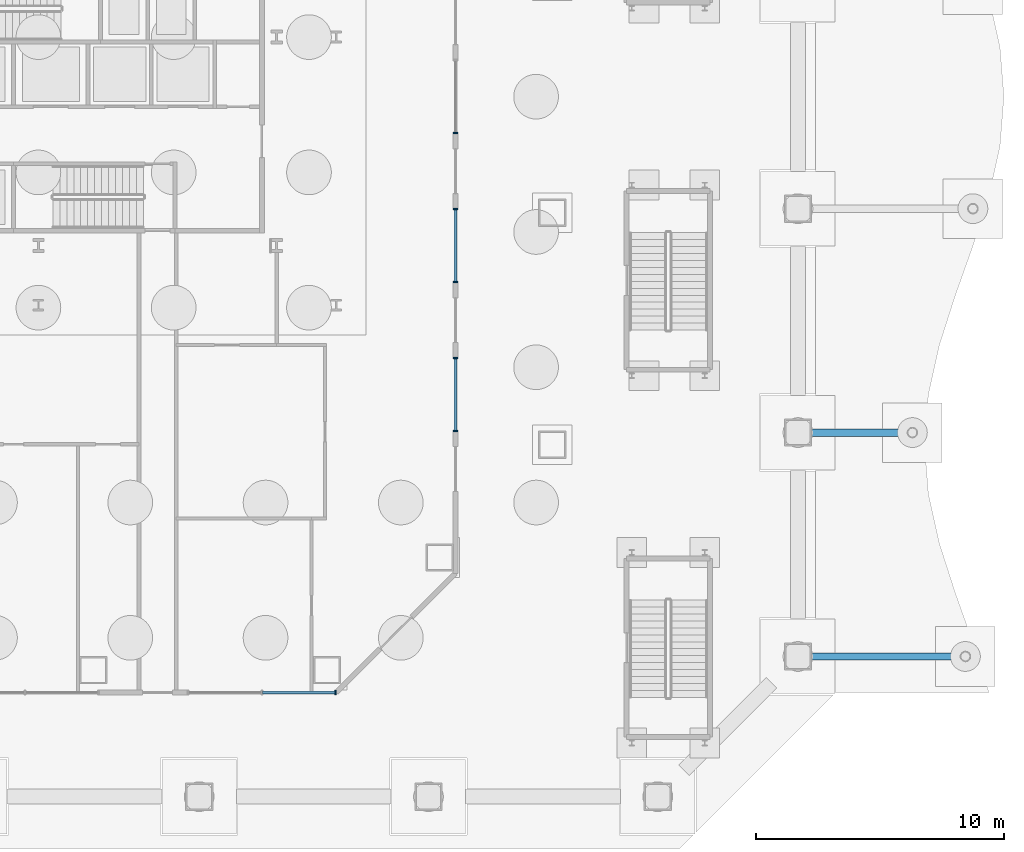
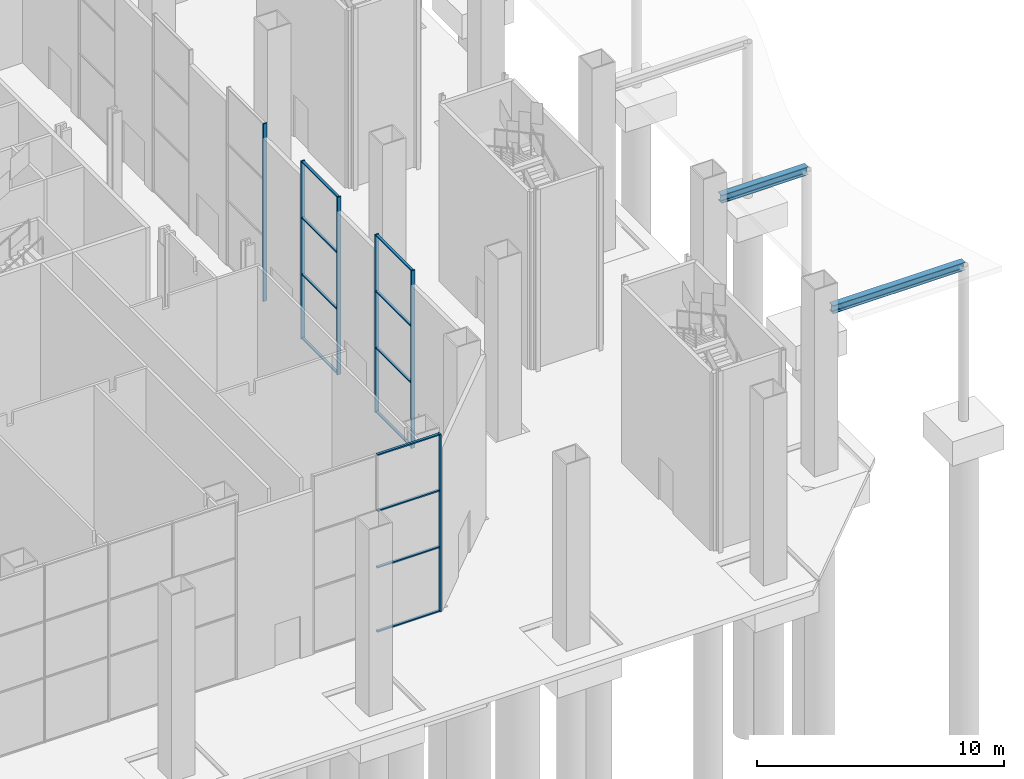
# One storey, part 17 of 38: 18 members, 2 beams, 4 elements without a shape of their own.
"""IFC4 building model written with IfcOpenShell, lengths in metres."""

import ifcopenshell
import ifcopenshell.guid

model = None  # the IFC model being written
_history = None  # IfcOwnerHistory: only IFC2X3 demands one
_inside = {}  # id of a spatial element -> (the spatial element, [elements in it])
_under = {}  # id of a project, library or spatial element -> (it, [spatial elements below it])
_declared = {}  # id of a project -> (the project, [libraries it declares])
_typed = {}  # id of a type object -> (the type object, [elements of that type])
_made_of = {}  # id of a material, layer set ... -> (it, [elements and type objects made of it])


def new_model(schema):
    """Start an empty IFC model of exactly this schema.

    Asked for "IFC4X3", IfcOpenShell would pick the latest addendum, in which some entities
    have other attributes; the version numbers below select the first issue.
    IFC2X3 requires an IfcOwnerHistory on every rooted entity: one is made here for all.
    """
    global model, _history
    if schema == "IFC4X3":
        model = ifcopenshell.file(schema_version=(4, 3, 0, 0))
    else:
        model = ifcopenshell.file(schema=schema)
    _inside.clear()
    _under.clear()
    _declared.clear()
    _typed.clear()
    _made_of.clear()
    _history = None
    if model.schema == "IFC2X3":
        org = make("IfcOrganization", Name="unknown")
        user = make(
            "IfcPersonAndOrganization",
            ThePerson=make("IfcPerson", FamilyName="unknown"),
            TheOrganization=org,
        )
        app = make(
            "IfcApplication",
            ApplicationDeveloper=org,
            Version="unknown",
            ApplicationFullName="unknown",
            ApplicationIdentifier="unknown",
        )
        _history = make(
            "IfcOwnerHistory",
            OwningUser=user,
            OwningApplication=app,
            ChangeAction="ADDED",
            CreationDate=0,
        )
    return model


def make(cls, **values):
    """One entity of the class cls with the attributes given. An attribute that is None is left unset."""
    return model.create_entity(
        cls, **{name: value for name, value in values.items() if value is not None}
    )


def rooted(cls, **values):
    """An entity with a GlobalId (a new one), such as an element, a storey or a relation."""
    return make(cls, GlobalId=ifcopenshell.guid.new(), OwnerHistory=_history, **values)


def si_unit(unit_type, name, prefix=None):
    """IfcSIUnit, for example si_unit("LENGTHUNIT", "METRE", prefix="MILLI")."""
    return make("IfcSIUnit", UnitType=unit_type, Prefix=prefix, Name=name)


def assignment(units):
    """IfcUnitAssignment: the units of a project."""
    return None if units is None else make("IfcUnitAssignment", Units=units)


def point(xyz):
    """IfcCartesianPoint."""
    return None if xyz is None else make("IfcCartesianPoint", Coordinates=xyz)


def direction(xyz):
    """IfcDirection."""
    return None if xyz is None else make("IfcDirection", DirectionRatios=xyz)


def frame(location, z_axis=None, x_axis=None):
    """IfcAxis2Placement3D, a coordinate frame: its origin and axes. An axis left out is left unset."""
    return make(
        "IfcAxis2Placement3D",
        Location=point(location),
        Axis=direction(z_axis),
        RefDirection=direction(x_axis),
    )


def frame_2d(location, x_axis=None):
    """IfcAxis2Placement2D, a coordinate frame in the plane: its origin and x axis."""
    return make(
        "IfcAxis2Placement2D", Location=point(location), RefDirection=direction(x_axis)
    )


def origin():
    """The frame at (0, 0, 0) with its axes left unset."""
    return frame((0.0, 0.0, 0.0))


def origin_2d():
    """The frame at (0, 0) in the plane with its x axis left unset."""
    return frame_2d((0.0, 0.0))


def place(relative_to, where):
    """IfcLocalPlacement: puts the frame where relative to a parent placement (None: the world)."""
    return make(
        "IfcLocalPlacement", PlacementRelTo=relative_to, RelativePlacement=where
    )


def context(
    kind, dimensions, precision=None, world=None, true_north=None, identifier=None
):
    """IfcGeometricRepresentationContext, for example the 3D "Model" context."""
    return make(
        "IfcGeometricRepresentationContext",
        ContextIdentifier=identifier,
        ContextType=kind,
        CoordinateSpaceDimension=dimensions,
        Precision=precision,
        WorldCoordinateSystem=world,
        TrueNorth=true_north,
    )


def subcontext(parent, identifier, kind, view, scale=None):
    """IfcGeometricRepresentationSubContext, for example "Body" below "Model"."""
    return make(
        "IfcGeometricRepresentationSubContext",
        ContextIdentifier=identifier,
        ContextType=kind,
        ParentContext=parent,
        TargetScale=scale,
        TargetView=view,
    )


def project(units=None, contexts=None):
    """IfcProject with its units and contexts."""
    return rooted(
        "IfcProject",
        Name="project",
        RepresentationContexts=contexts,
        UnitsInContext=assignment(units),
    )


def spatial(cls, under=None, at=None, **own):
    """A site, building, storey or space (cls), placed at a placement, below another one or the project."""
    s = rooted(cls, ObjectPlacement=at, **own)
    if under is not None:
        _under.setdefault(under.id(), (under, []))[1].append(s)
    return s


def profile(cls, at=None, kind="AREA", **sizes):
    """A parametric profile (cls). Its sizes go by their IFC names, for example OverallWidth=200.0."""
    return make(cls, ProfileType=kind, Position=at, **sizes)


def rectangle(**sizes):
    """IfcRectangleProfileDef."""
    return profile("IfcRectangleProfileDef", **sizes)


def i_section(**sizes):
    """IfcIShapeProfileDef."""
    return profile("IfcIShapeProfileDef", **sizes)


def extrude(swept, where, along, depth):
    """IfcExtrudedAreaSolid: the profile swept, set in the frame where, extruded along a direction by depth."""
    return make(
        "IfcExtrudedAreaSolid",
        SweptArea=swept,
        Position=where,
        ExtrudedDirection=direction(along),
        Depth=depth,
    )


def shape(context_of_items, identifier, shape_type, items):
    """IfcShapeRepresentation: the items that make up one representation, for example the "Body"."""
    return make(
        "IfcShapeRepresentation",
        ContextOfItems=context_of_items,
        RepresentationIdentifier=identifier,
        RepresentationType=shape_type,
        Items=items,
    )


def material(Name=None, Category=None):
    """IfcMaterial."""
    return make("IfcMaterial", Name=Name, Category=Category)


def material_profile(
    of_material, cross_section, Name=None, Category=None, Priority=None
):
    """IfcMaterialProfile: a cross section and its material."""
    return make(
        "IfcMaterialProfile",
        Name=Name,
        Material=of_material,
        Profile=cross_section,
        Priority=Priority,
        Category=Category,
    )


def profile_set(profiles, Name=None, composite=None):
    """IfcMaterialProfileSet."""
    return make(
        "IfcMaterialProfileSet",
        Name=Name,
        MaterialProfiles=profiles,
        CompositeProfile=composite,
    )


def made_of(thing, what):
    """Note that an element or type object is made of a material, layer set ...; save() writes the relation."""
    if what is not None:
        _made_of.setdefault(what.id(), (what, []))[1].append(thing)
    return thing


def type_object(cls, material=None, **own):
    """A type object (cls), such as IfcWallType, which elements share."""
    return made_of(rooted(cls, **own), material)


def element(
    cls,
    number,
    at=None,
    inside=None,
    cuts=None,
    type_object=None,
    material=None,
    context=None,
    identifier="Body",
    shape_type=None,
    held_by="IfcProductDefinitionShape",
    body=None,
    shapes=None,
    **own,
):
    """One element of the class cls, such as IfcWall. Its Tag is "e" and its number.

    at: its placement. inside: the storey or other place that contains it. cuts: it is an
    opening in that element (IfcRelVoidsElement). A single representation is given by context,
    identifier, shape_type and body (its items); several are given by shapes. held_by: the class
    of the entity that holds the representations. save() writes the other relations.
    """
    e = rooted(cls, Tag="e%d" % number, ObjectPlacement=at, **own)
    if body is not None:
        shapes = [shape(context, identifier, shape_type, body)]
    if shapes is not None:
        e.Representation = make(held_by, Representations=shapes)
    if inside is not None:
        _inside.setdefault(inside.id(), (inside, []))[1].append(e)
    if cuts is not None:
        rooted(
            "IfcRelVoidsElement", RelatingBuildingElement=cuts, RelatedOpeningElement=e
        )
    if type_object is not None:
        _typed.setdefault(type_object.id(), (type_object, []))[1].append(e)
    return made_of(e, material)


def aggregate(whole, parts):
    """IfcRelAggregates: a whole, such as a stair, and the parts it consists of."""
    return rooted("IfcRelAggregates", RelatingObject=whole, RelatedObjects=parts)


def save(model, path):
    """Write the relations noted so far, then the file.

    IfcRelAggregates (storeys below a building ...), IfcRelContainedInSpatialStructure (elements
    in a storey), IfcRelDefinesByType, IfcRelAssociatesMaterial and IfcRelDeclares: one each for
    every whole, place, type object, material and project.
    """
    for whole, parts in _under.values():
        aggregate(whole, parts)
    for where, things in _inside.values():
        rooted(
            "IfcRelContainedInSpatialStructure",
            RelatedElements=things,
            RelatingStructure=where,
        )
    for kind, things in _typed.values():
        rooted("IfcRelDefinesByType", RelatedObjects=things, RelatingType=kind)
    for what, things in _made_of.values():
        rooted("IfcRelAssociatesMaterial", RelatedObjects=things, RelatingMaterial=what)
    for by, libraries in _declared.values():
        rooted("IfcRelDeclares", RelatingContext=by, RelatedDefinitions=libraries)
    model.write(path)


model = new_model("IFC4")

# Units and contexts
model_context = context("Model", 3, precision=1e-05, world=origin(), true_north=direction((0.0, 1.0)))
body_context = subcontext(model_context, "Body", "Model", "MODEL_VIEW")
ifc_project = project(units=[si_unit("LENGTHUNIT", "METRE"), si_unit("AREAUNIT", "SQUARE_METRE"), si_unit("VOLUMEUNIT", "CUBIC_METRE"), si_unit("PLANEANGLEUNIT", "RADIAN"), si_unit("MASSUNIT", "GRAM", prefix="KILO")], contexts=[model_context])

# Site, building, storey
site_placement = place(None, origin())
site = spatial("IfcSite", under=ifc_project, at=site_placement, CompositionType="ELEMENT")
building_placement = place(site_placement, origin())
building = spatial("IfcBuilding", under=site, at=building_placement, Name="Cairn Pilgrim Tower", CompositionType="ELEMENT")
storey_placement = place(building_placement, origin())
storey = spatial("IfcBuildingStorey", under=building, at=storey_placement, Name="L00", CompositionType="ELEMENT", Elevation=0.0)

# Beams
ifc_material_1 = material(Name="Structural steel S355J2", Category="steel")
ifc_material_profile_1 = material_profile(ifc_material_1, i_section(OverallWidth=0.300048828125, OverallDepth=0.39990234375, WebThickness=0.013427734375, FlangeThickness=0.02392578125, FilletRadius=0.027099609375, at=origin_2d()), Name="HE 400 B")
ifc_profile_set_1 = profile_set([ifc_material_profile_1], Name="Structural steel S355J2")
beam_type = type_object("IfcBeamType", Name="MARQUISE BEAM HE 400 B", PredefinedType="BEAM", material=ifc_profile_set_1)
beam_1_placement = place(storey_placement, frame((38.35009765625, -22.551513671875, 7.39990234375), z_axis=(1.0, 0.0, 0.0), x_axis=(0.0, 1.0, 0.0)))
element("IfcBeam", 1, at=beam_1_placement, inside=storey, type_object=beam_type, Name="MARQUISE BEAM E1", PredefinedType="BEAM", context=body_context, shape_type="SweptSolid", body=[
    extrude(i_section(OverallWidth=0.300048828125, OverallDepth=0.39990234375, WebThickness=0.013427734375, FlangeThickness=0.02392578125, FilletRadius=0.027099609375, at=origin_2d()), origin(), (0.0, 0.0, 1.0), 6.19580078125),
])
beam_2_placement = place(storey_placement, frame((38.35009765625, -13.531005859375, 7.39990234375), z_axis=(1.0, 0.0, 0.0), x_axis=(0.0, 1.0, 0.0)))
element("IfcBeam", 2, at=beam_2_placement, inside=storey, type_object=beam_type, Name="MARQUISE BEAM E2", PredefinedType="BEAM", context=body_context, shape_type="SweptSolid", body=[
    extrude(i_section(OverallWidth=0.300048828125, OverallDepth=0.39990234375, WebThickness=0.013427734375, FlangeThickness=0.02392578125, FilletRadius=0.027099609375, at=origin_2d()), origin(), (0.0, 0.0, 1.0), 4.058837890625),
])

# Curtain wall, member
ifc_material_2 = material(Name="Bronze anodised aluminium with Tinted laminated low-E glass", Category="aluminium")
curtain_wall_type = type_object("IfcCurtainWallType", Name="PAVILION CW", PredefinedType="NOTDEFINED", material=ifc_material_2)
curtain_wall_1_placement = place(storey_placement, origin())
curtain_wall_1 = element("IfcCurtainWall", 3, at=curtain_wall_1_placement, inside=storey, type_object=curtain_wall_type, Name="PAVILION CW 0.6", PredefinedType="NOTDEFINED")
ifc_material_3 = material(Name="Bronze anodised aluminium", Category="aluminium")
ifc_material_profile_2 = material_profile(ifc_material_3, rectangle(XDim=0.179931640625, YDim=0.06005859375, at=origin_2d()), Name="PAVILION MULLION 60x180 BRONZE")
ifc_profile_set_2 = profile_set([ifc_material_profile_2], Name="Bronze anodised aluminium")
member_type_1 = type_object("IfcMemberType", Name="PAVILION MULLION 60x180 BRONZE", PredefinedType="MULLION", material=ifc_profile_set_2)
member_1_placement = place(storey_placement, frame((19.169921875, -24.0, 0.0), z_axis=(0.0, 0.0, 1.0), x_axis=(0.0, 1.0, 0.0)))
member_1 = element("IfcMember", 4, at=member_1_placement, type_object=member_type_1, Name="PCW-06 mullion 3", PredefinedType="MULLION", context=body_context, shape_type="SweptSolid", body=[
    extrude(rectangle(XDim=0.179931640625, YDim=0.06005859375, at=origin_2d()), origin(), (0.0, 0.0, 1.0), 8.800048828125),
])

# Curtain wall, members
curtain_wall_2_placement = place(storey_placement, origin())
curtain_wall_2 = element("IfcCurtainWall", 5, at=curtain_wall_2_placement, inside=storey, type_object=curtain_wall_type, Name="PAVILION CW 2.2", PredefinedType="NOTDEFINED")
member_2_placement = place(storey_placement, frame((24.0, -13.469970703125, 0.0), z_axis=(0.0, 0.0, 1.0), x_axis=(-1.0, 0.0, 0.0)))
member_2 = element("IfcMember", 6, at=member_2_placement, type_object=member_type_1, Name="PCW-22 mullion 1", PredefinedType="MULLION", context=body_context, shape_type="SweptSolid", body=[
    extrude(rectangle(XDim=0.179931640625, YDim=0.06005859375, at=origin_2d()), origin(), (0.0, 0.0, 1.0), 8.800048828125),
])
member_3_placement = place(storey_placement, frame((24.0, -10.530029296875, 0.0), z_axis=(0.0, 0.0, 1.0), x_axis=(-1.0, 0.0, 0.0)))
member_3 = element("IfcMember", 7, at=member_3_placement, type_object=member_type_1, Name="PCW-22 mullion 2", PredefinedType="MULLION", context=body_context, shape_type="SweptSolid", body=[
    extrude(rectangle(XDim=0.179931640625, YDim=0.06005859375, at=origin_2d()), origin(), (0.0, 0.0, 1.0), 8.800048828125),
])

curtain_wall_3_placement = place(storey_placement, origin())
curtain_wall_3 = element("IfcCurtainWall", 8, at=curtain_wall_3_placement, inside=storey, type_object=curtain_wall_type, Name="PAVILION CW 2.4", PredefinedType="NOTDEFINED")
member_4_placement = place(storey_placement, frame((24.0, -7.469970703125, 0.0), z_axis=(0.0, 0.0, 1.0), x_axis=(-1.0, 0.0, 0.0)))
member_4 = element("IfcMember", 9, at=member_4_placement, type_object=member_type_1, Name="PCW-24 mullion 1", PredefinedType="MULLION", context=body_context, shape_type="SweptSolid", body=[
    extrude(rectangle(XDim=0.179931640625, YDim=0.06005859375, at=origin_2d()), origin(), (0.0, 0.0, 1.0), 8.800048828125),
])
member_5_placement = place(storey_placement, frame((24.0, -4.530029296875, 0.0), z_axis=(0.0, 0.0, 1.0), x_axis=(-1.0, 0.0, 0.0)))
member_5 = element("IfcMember", 10, at=member_5_placement, type_object=member_type_1, Name="PCW-24 mullion 2", PredefinedType="MULLION", context=body_context, shape_type="SweptSolid", body=[
    extrude(rectangle(XDim=0.179931640625, YDim=0.06005859375, at=origin_2d()), origin(), (0.0, 0.0, 1.0), 8.800048828125),
])

# Curtain wall, member
curtain_wall_4_placement = place(storey_placement, origin())
curtain_wall_4 = element("IfcCurtainWall", 11, at=curtain_wall_4_placement, inside=storey, type_object=curtain_wall_type, Name="PAVILION CW 2.6", PredefinedType="NOTDEFINED")
member_6_placement = place(storey_placement, frame((24.0, -1.469970703125, 0.0), z_axis=(0.0, 0.0, 1.0), x_axis=(-1.0, 0.0, 0.0)))
member_6 = element("IfcMember", 12, at=member_6_placement, type_object=member_type_1, Name="PCW-26 mullion 1", PredefinedType="MULLION", context=body_context, shape_type="SweptSolid", body=[
    extrude(rectangle(XDim=0.179931640625, YDim=0.06005859375, at=origin_2d()), origin(), (0.0, 0.0, 1.0), 8.800048828125),
])
aggregate(curtain_wall_4, [member_6])

# Member
ifc_material_profile_3 = material_profile(ifc_material_3, rectangle(XDim=0.1201171875, YDim=0.06005859375, at=origin_2d()), Name="PAVILION TRANSOM 60x120 BRONZE")
ifc_profile_set_3 = profile_set([ifc_material_profile_3], Name="Bronze anodised aluminium")
member_type_2 = type_object("IfcMemberType", Name="PAVILION TRANSOM 60x120 BRONZE", PredefinedType="USERDEFINED", material=ifc_profile_set_3)
member_7_placement = place(storey_placement, frame((16.22998046875, -24.0, 0.030029296875), z_axis=(1.0, 0.0, 0.0), x_axis=(0.0, 1.0, 0.0)))
member_7 = element("IfcMember", 13, at=member_7_placement, type_object=member_type_2, Name="PCW-06 transom 2.1", ObjectType="TRANSOM", PredefinedType="USERDEFINED", context=body_context, shape_type="SweptSolid", body=[
    extrude(rectangle(XDim=0.1201171875, YDim=0.06005859375, at=origin_2d()), origin(), (0.0, 0.0, 1.0), 2.909912109375),
])

member_8_placement = place(storey_placement, frame((16.22998046875, -24.0, 3.199951171875), z_axis=(1.0, 0.0, 0.0), x_axis=(0.0, 1.0, 0.0)))
member_8 = element("IfcMember", 14, at=member_8_placement, type_object=member_type_2, Name="PCW-06 transom 2.2", ObjectType="TRANSOM", PredefinedType="USERDEFINED", context=body_context, shape_type="SweptSolid", body=[
    extrude(rectangle(XDim=0.1201171875, YDim=0.06005859375, at=origin_2d()), origin(), (0.0, 0.0, 1.0), 2.909912109375),
])

member_9_placement = place(storey_placement, frame((16.22998046875, -24.0, 6.0), z_axis=(1.0, 0.0, 0.0), x_axis=(0.0, 1.0, 0.0)))
member_9 = element("IfcMember", 15, at=member_9_placement, type_object=member_type_2, Name="PCW-06 transom 2.3", ObjectType="TRANSOM", PredefinedType="USERDEFINED", context=body_context, shape_type="SweptSolid", body=[
    extrude(rectangle(XDim=0.1201171875, YDim=0.06005859375, at=origin_2d()), origin(), (0.0, 0.0, 1.0), 2.909912109375),
])

member_10_placement = place(storey_placement, frame((16.22998046875, -24.0, 8.77001953125), z_axis=(1.0, 0.0, 0.0), x_axis=(0.0, 1.0, 0.0)))
member_10 = element("IfcMember", 16, at=member_10_placement, type_object=member_type_2, Name="PCW-06 transom 2.4", ObjectType="TRANSOM", PredefinedType="USERDEFINED", context=body_context, shape_type="SweptSolid", body=[
    extrude(rectangle(XDim=0.1201171875, YDim=0.06005859375, at=origin_2d()), origin(), (0.0, 0.0, 1.0), 2.909912109375),
])

aggregate(curtain_wall_1, [member_1, member_7, member_8, member_9, member_10])

member_11_placement = place(storey_placement, frame((24.0, -13.43994140625, 0.030029296875), z_axis=(0.0, 1.0, 0.0), x_axis=(-1.0, 0.0, 0.0)))
member_11 = element("IfcMember", 17, at=member_11_placement, type_object=member_type_2, Name="PCW-22 transom 1.1", ObjectType="TRANSOM", PredefinedType="USERDEFINED", context=body_context, shape_type="SweptSolid", body=[
    extrude(rectangle(XDim=0.1201171875, YDim=0.06005859375, at=origin_2d()), origin(), (0.0, 0.0, 1.0), 2.8798828125),
])

member_12_placement = place(storey_placement, frame((24.0, -13.43994140625, 3.199951171875), z_axis=(0.0, 1.0, 0.0), x_axis=(-1.0, 0.0, 0.0)))
member_12 = element("IfcMember", 18, at=member_12_placement, type_object=member_type_2, Name="PCW-22 transom 1.2", ObjectType="TRANSOM", PredefinedType="USERDEFINED", context=body_context, shape_type="SweptSolid", body=[
    extrude(rectangle(XDim=0.1201171875, YDim=0.06005859375, at=origin_2d()), origin(), (0.0, 0.0, 1.0), 2.8798828125),
])

member_13_placement = place(storey_placement, frame((24.0, -13.43994140625, 6.0), z_axis=(0.0, 1.0, 0.0), x_axis=(-1.0, 0.0, 0.0)))
member_13 = element("IfcMember", 19, at=member_13_placement, type_object=member_type_2, Name="PCW-22 transom 1.3", ObjectType="TRANSOM", PredefinedType="USERDEFINED", context=body_context, shape_type="SweptSolid", body=[
    extrude(rectangle(XDim=0.1201171875, YDim=0.06005859375, at=origin_2d()), origin(), (0.0, 0.0, 1.0), 2.8798828125),
])

member_14_placement = place(storey_placement, frame((24.0, -13.43994140625, 8.77001953125), z_axis=(0.0, 1.0, 0.0), x_axis=(-1.0, 0.0, 0.0)))
member_14 = element("IfcMember", 20, at=member_14_placement, type_object=member_type_2, Name="PCW-22 transom 1.4", ObjectType="TRANSOM", PredefinedType="USERDEFINED", context=body_context, shape_type="SweptSolid", body=[
    extrude(rectangle(XDim=0.1201171875, YDim=0.06005859375, at=origin_2d()), origin(), (0.0, 0.0, 1.0), 2.8798828125),
])

aggregate(curtain_wall_2, [member_2, member_3, member_11, member_12, member_13, member_14])

member_15_placement = place(storey_placement, frame((24.0, -7.43994140625, 0.030029296875), z_axis=(0.0, 1.0, 0.0), x_axis=(-1.0, 0.0, 0.0)))
member_15 = element("IfcMember", 21, at=member_15_placement, type_object=member_type_2, Name="PCW-24 transom 1.1", ObjectType="TRANSOM", PredefinedType="USERDEFINED", context=body_context, shape_type="SweptSolid", body=[
    extrude(rectangle(XDim=0.1201171875, YDim=0.06005859375, at=origin_2d()), origin(), (0.0, 0.0, 1.0), 2.8798828125),
])

member_16_placement = place(storey_placement, frame((24.0, -7.43994140625, 3.199951171875), z_axis=(0.0, 1.0, 0.0), x_axis=(-1.0, 0.0, 0.0)))
member_16 = element("IfcMember", 22, at=member_16_placement, type_object=member_type_2, Name="PCW-24 transom 1.2", ObjectType="TRANSOM", PredefinedType="USERDEFINED", context=body_context, shape_type="SweptSolid", body=[
    extrude(rectangle(XDim=0.1201171875, YDim=0.06005859375, at=origin_2d()), origin(), (0.0, 0.0, 1.0), 2.8798828125),
])

member_17_placement = place(storey_placement, frame((24.0, -7.43994140625, 6.0), z_axis=(0.0, 1.0, 0.0), x_axis=(-1.0, 0.0, 0.0)))
member_17 = element("IfcMember", 23, at=member_17_placement, type_object=member_type_2, Name="PCW-24 transom 1.3", ObjectType="TRANSOM", PredefinedType="USERDEFINED", context=body_context, shape_type="SweptSolid", body=[
    extrude(rectangle(XDim=0.1201171875, YDim=0.06005859375, at=origin_2d()), origin(), (0.0, 0.0, 1.0), 2.8798828125),
])

member_18_placement = place(storey_placement, frame((24.0, -7.43994140625, 8.77001953125), z_axis=(0.0, 1.0, 0.0), x_axis=(-1.0, 0.0, 0.0)))
member_18 = element("IfcMember", 24, at=member_18_placement, type_object=member_type_2, Name="PCW-24 transom 1.4", ObjectType="TRANSOM", PredefinedType="USERDEFINED", context=body_context, shape_type="SweptSolid", body=[
    extrude(rectangle(XDim=0.1201171875, YDim=0.06005859375, at=origin_2d()), origin(), (0.0, 0.0, 1.0), 2.8798828125),
])

aggregate(curtain_wall_3, [member_4, member_5, member_15, member_16, member_17, member_18])

save(model, "model.ifc")
